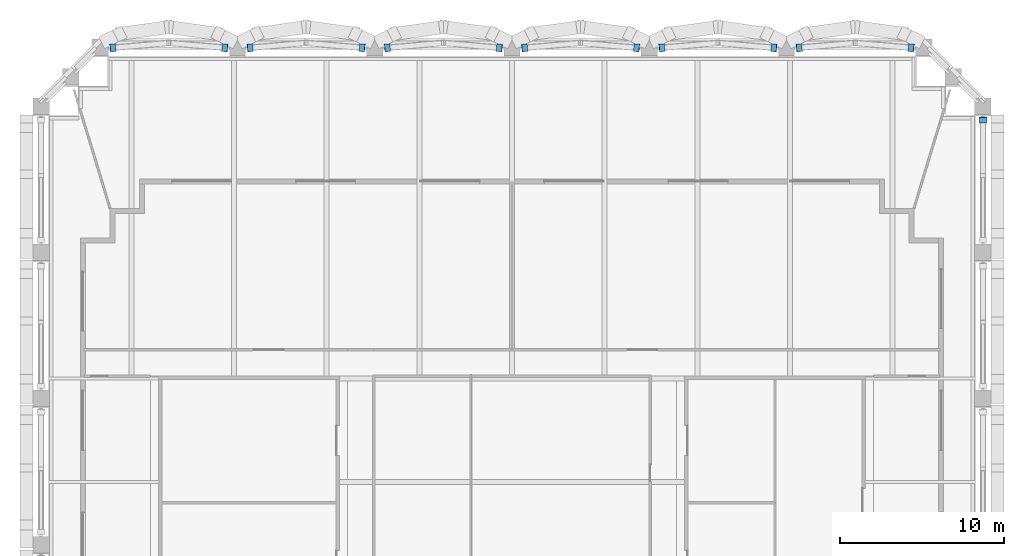
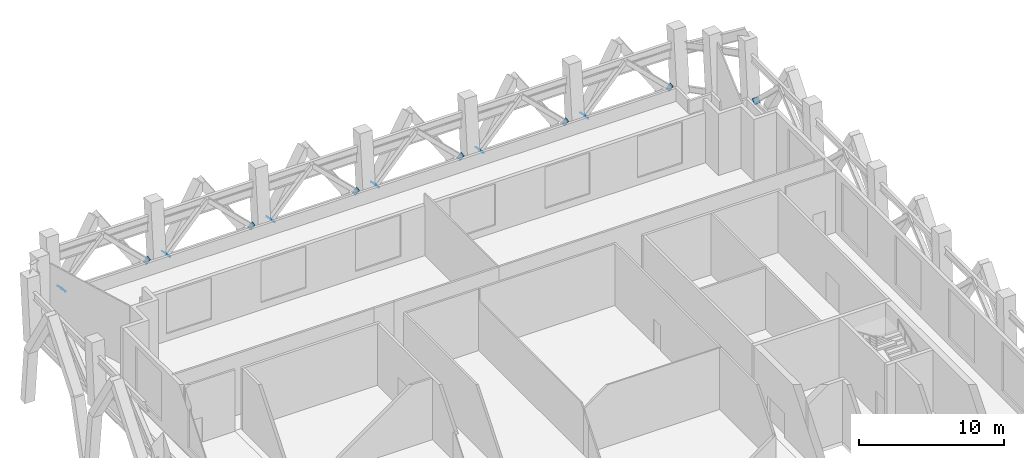
# One storey, part 11 of 13: 13 discrete accessories.
"""IFC4 building model written with IfcOpenShell, lengths in metres."""

from ifc_helpers import new_model, si_unit, direction, frame, origin, origin_2d, place, context, subcontext, project, spatial, rectangle, extrude, material, material_profile, profile_set, type_object, element, save


model = new_model("IFC4")

# Units and contexts
model_context = context("Model", 3, precision=1e-05, world=origin(), true_north=direction((0.0, 1.0)))
body_context = subcontext(model_context, "Body", "Model", "MODEL_VIEW")
ifc_project = project(units=[si_unit("LENGTHUNIT", "METRE"), si_unit("AREAUNIT", "SQUARE_METRE"), si_unit("VOLUMEUNIT", "CUBIC_METRE"), si_unit("PLANEANGLEUNIT", "RADIAN"), si_unit("MASSUNIT", "GRAM", prefix="KILO")], contexts=[model_context])

# Site, building, storey
site_placement = place(None, origin())
site = spatial("IfcSite", under=ifc_project, at=site_placement, CompositionType="ELEMENT")
building_placement = place(site_placement, origin())
building = spatial("IfcBuilding", under=site, at=building_placement, Name="Ogive Exchange Tower", CompositionType="ELEMENT")
storey_placement = place(building_placement, frame((0.0, 0.0, 363.60009765625)))
storey = spatial("IfcBuildingStorey", under=building, at=storey_placement, Name="L80", CompositionType="ELEMENT", Elevation=363.60009765625)

# Discrete accessories
ifc_material = material(Name="Steel ASTM A572 Gr50", Category="steel")
ifc_material_profile = material_profile(ifc_material, rectangle(XDim=0.47607421875, YDim=0.47607421875, at=origin_2d()), Name="PL 476 x 476 x 25")
ifc_profile_set = profile_set([ifc_material_profile], Name="Steel ASTM A572 Gr50")
discrete_accessory_type = type_object("IfcDiscreteAccessoryType", Name="Gusset plate 476 x 476 x 25", PredefinedType="USERDEFINED", material=ifc_profile_set)
for number, where, z_axis, x_axis, name in (
    (1, (28.64990234375, 56.588623046875, 0.66796875), (0.0, -0.716858570585, 0.697218609747), (1.0, 0.0, 0.0), "Belt truss diagonal 15b end plate A"),
    (2, (24.29052734375, 60.9697265625, 0.66796875), (-0.715170910236, 0.068578032488, 0.695577186668), (-0.095452573314, -0.995433978849, 0.0), "Belt truss diagonal 18a end plate A"),
    (3, (17.45947265625, 60.9697265625, 0.66796875), (0.715170910236, 0.068578032488, 0.695577186668), (-0.095452573314, 0.995433978849, 0.0), "Belt truss diagonal 18b end plate A"),
):
    element("IfcDiscreteAccessory", number, at=place(storey_placement, frame(where, z_axis=z_axis, x_axis=x_axis)), inside=storey, type_object=discrete_accessory_type, Name=name, ObjectType="GUSSET PLATE", PredefinedType="USERDEFINED", context=body_context, shape_type="SweptSolid", body=[
        extrude(rectangle(XDim=0.47607421875, YDim=0.47607421875, at=origin_2d()), origin(), (0.0, 0.0, 1.0), 0.02490234375),
    ])
for number, where, z_axis, x_axis, name in (
    (4, (15.940673828125, 60.9697265625, 0.66796875), (-0.719907033349, 0.068099313965, 0.690721613078), (-0.094174191159, -0.995555735115, 0.0), "Belt truss diagonal 19a end plate A"),
    (5, (9.109375, 60.9697265625, 0.66796875), (0.719907033349, 0.068099313965, 0.690721613078), (-0.094174191159, 0.995555735115, 0.0), "Belt truss diagonal 19b end plate A"),
    (6, (7.590576171875, 60.9697265625, 0.66796875), (-0.719907033349, 0.068099313965, 0.690721613078), (-0.094174191159, -0.995555735115, 0.0), "Belt truss diagonal 20a end plate A"),
):
    element("IfcDiscreteAccessory", number, at=place(storey_placement, frame(where, z_axis=z_axis, x_axis=x_axis)), inside=storey, type_object=discrete_accessory_type, Name=name, ObjectType="GUSSET PLATE", PredefinedType="USERDEFINED", context=body_context, shape_type="SweptSolid", body=[
        extrude(rectangle(XDim=0.47607421875, YDim=0.47607421875, at=origin_2d()), origin(), (0.0, 0.0, 1.0), 0.025146484375),
    ])
for number, where, z_axis, x_axis, name in (
    (7, (0.759521484375, 60.9697265625, 0.66796875), (0.715170910236, 0.068578032488, 0.695577186668), (-0.095452573314, 0.995433978849, 0.0), "Belt truss diagonal 20b end plate A"),
    (8, (-0.759521484375, 60.9697265625, 0.66796875), (-0.715170910236, 0.068578032488, 0.695577186668), (-0.095452573314, -0.995433978849, 0.0), "Belt truss diagonal 21a end plate A"),
):
    element("IfcDiscreteAccessory", number, at=place(storey_placement, frame(where, z_axis=z_axis, x_axis=x_axis)), inside=storey, type_object=discrete_accessory_type, Name=name, ObjectType="GUSSET PLATE", PredefinedType="USERDEFINED", context=body_context, shape_type="SweptSolid", body=[
        extrude(rectangle(XDim=0.47607421875, YDim=0.47607421875, at=origin_2d()), origin(), (0.0, 0.0, 1.0), 0.02490234375),
    ])
for number, where, z_axis, x_axis, name in (
    (9, (-7.590576171875, 60.9697265625, 0.66796875), (0.719907033349, 0.068099313965, 0.690721613078), (-0.094174191159, 0.995555735115, 0.0), "Belt truss diagonal 21b end plate A"),
    (10, (-9.109375, 60.9697265625, 0.66796875), (-0.719907033349, 0.068099313965, 0.690721613078), (-0.094174191159, -0.995555735115, 0.0), "Belt truss diagonal 22a end plate A"),
    (11, (-15.940673828125, 60.9697265625, 0.66796875), (0.719907033349, 0.068099313965, 0.690721613078), (-0.094174191159, 0.995555735115, 0.0), "Belt truss diagonal 22b end plate A"),
):
    element("IfcDiscreteAccessory", number, at=place(storey_placement, frame(where, z_axis=z_axis, x_axis=x_axis)), inside=storey, type_object=discrete_accessory_type, Name=name, ObjectType="GUSSET PLATE", PredefinedType="USERDEFINED", context=body_context, shape_type="SweptSolid", body=[
        extrude(rectangle(XDim=0.47607421875, YDim=0.47607421875, at=origin_2d()), origin(), (0.0, 0.0, 1.0), 0.025146484375),
    ])
for number, where, z_axis, x_axis, name in (
    (12, (-17.45947265625, 60.9697265625, 0.66796875), (-0.715170910236, 0.068578032488, 0.695577186668), (-0.095452573314, -0.995433978849, 0.0), "Belt truss diagonal 23a end plate A"),
    (13, (-24.29052734375, 60.9697265625, 0.66796875), (0.715170910236, 0.068578032488, 0.695577186668), (-0.095452573314, 0.995433978849, 0.0), "Belt truss diagonal 23b end plate A"),
):
    element("IfcDiscreteAccessory", number, at=place(storey_placement, frame(where, z_axis=z_axis, x_axis=x_axis)), inside=storey, type_object=discrete_accessory_type, Name=name, ObjectType="GUSSET PLATE", PredefinedType="USERDEFINED", context=body_context, shape_type="SweptSolid", body=[
        extrude(rectangle(XDim=0.47607421875, YDim=0.47607421875, at=origin_2d()), origin(), (0.0, 0.0, 1.0), 0.02490234375),
    ])

save(model, "model.ifc")
